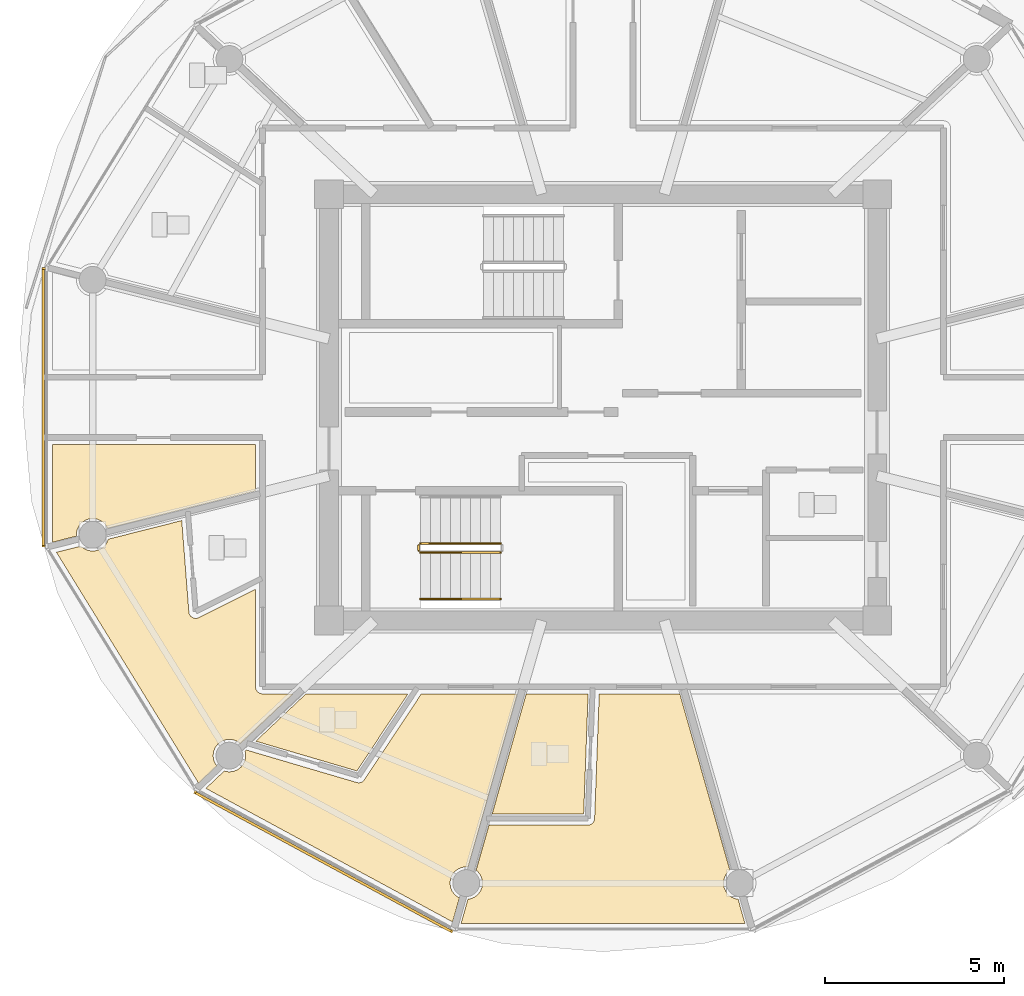
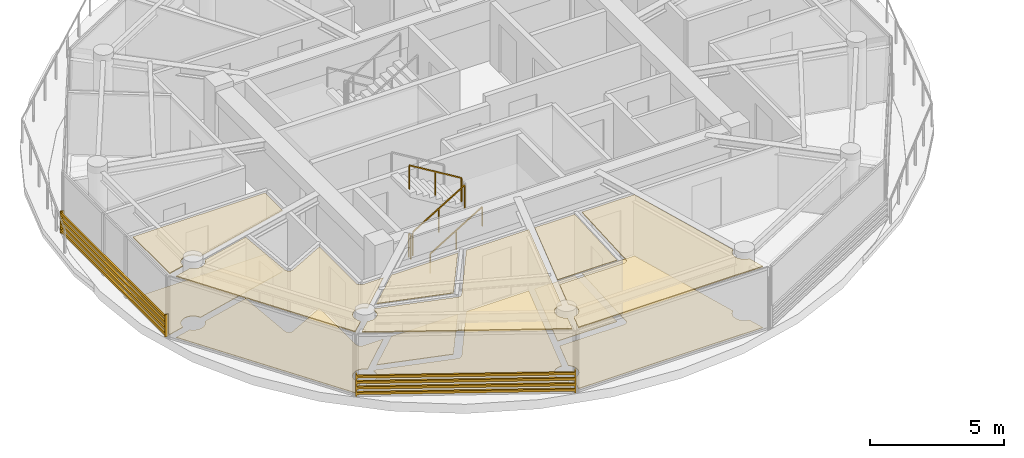
# One storey, part 17 of 28: 12 coverings, 4 railings, 2 shading devices.
"""IFC4 building model written with IfcOpenShell, lengths in metres."""

from ifc_helpers import new_model, si_unit, direction, frame, origin, origin_2d, place, context, subcontext, project, spatial, polyline, rectangle, outline, extrude, source, transform, mapped, material, layer, layer_set, type_object, type_shapes, element, save


model = new_model("IFC4")

# Units and contexts
model_context = context("Model", 3, precision=1e-05, world=origin(), true_north=direction((0.0, 1.0)))
body_context = subcontext(model_context, "Body", "Model", "MODEL_VIEW")
ifc_project = project(units=[si_unit("LENGTHUNIT", "METRE"), si_unit("AREAUNIT", "SQUARE_METRE"), si_unit("VOLUMEUNIT", "CUBIC_METRE"), si_unit("PLANEANGLEUNIT", "RADIAN"), si_unit("MASSUNIT", "GRAM", prefix="KILO")], contexts=[model_context])

# Site, building, storey
site_placement = place(None, origin())
site = spatial("IfcSite", under=ifc_project, at=site_placement, CompositionType="ELEMENT")
building_placement = place(site_placement, origin())
building = spatial("IfcBuilding", under=site, at=building_placement, Name="Norrkilde Senior Care Towers", CompositionType="ELEMENT")
storey_placement = place(building_placement, frame((0.0, 0.0, 190.64990234375)))
storey = spatial("IfcBuildingStorey", under=building, at=storey_placement, Name="L59", CompositionType="ELEMENT", Elevation=190.64990234375)

# Coverings
ifc_material_1 = material(Name="Nordic Ash Timber", Category="wood")
ifc_layer_1 = layer(ifc_material_1, 0.044921875)
ifc_layer_set_1 = layer_set([ifc_layer_1], Name="Nordic Ash Timber")
covering_type_1 = type_object("IfcCoveringType", Name="Acoustic Ash Timber Slatted Ceiling 45", PredefinedType="CEILING", material=ifc_layer_set_1)
covering_1_placement = place(storey_placement, frame((0.0, 0.0, 2.76513671875)))
element("IfcCovering", 1, at=covering_1_placement, inside=storey, type_object=covering_type_1, Name="L59 Suspended Ceiling 0335", PredefinedType="CEILING", context=body_context, shape_type="SweptSolid", body=[
    extrude(outline(polyline([(-37.699951171875, -1.0400390625), (-37.699951171875, -2.331298828125), (-41.834228515625, -3.377685546875), (-41.853271484375, -3.331298828125), (-41.92578125, -3.237060546875), (-42.02001953125, -3.164794921875), (-42.129638671875, -3.119384765625), (-42.247314453125, -3.103759765625), (-42.365234375, -3.119384765625), (-42.474853515625, -3.164794921875), (-42.569091796875, -3.237060546875), (-42.641357421875, -3.331298828125), (-42.68701171875, -3.44091796875), (-42.702392578125, -3.558837890625), (-42.697509765625, -3.59619140625), (-43.37353515625, -3.76708984375), (-43.37353515625, -1.0400390625), (-37.699951171875, -1.0400390625)])), origin(), (0.0, 0.0, 1.0), 0.044921875),
])
covering_2_placement = place(storey_placement, frame((0.0, 0.0, 2.76513671875)))
element("IfcCovering", 2, at=covering_2_placement, inside=storey, type_object=covering_type_1, Name="L59 Suspended Ceiling 0347", PredefinedType="CEILING", context=body_context, shape_type="SweptSolid", body=[
    extrude(outline(polyline([(-39.5556640625, -5.7470703125), (-39.552490234375, -5.758544921875), (-39.55029296875, -5.764892578125), (-39.546142578125, -5.77587890625), (-39.543212890625, -5.7822265625), (-39.5380859375, -5.792724609375), (-39.53466796875, -5.798583984375), (-39.5283203125, -5.80859375), (-39.5244140625, -5.814208984375), (-39.51708984375, -5.8232421875), (-39.5126953125, -5.82861328125), (-39.50439453125, -5.8369140625), (-39.49951171875, -5.841796875), (-39.49072265625, -5.849365234375), (-39.485107421875, -5.853515625), (-39.4755859375, -5.8603515625), (-39.4697265625, -5.864013671875), (-39.45947265625, -5.86962890625), (-39.453369140625, -5.872802734375), (-39.442626953125, -5.87744140625), (-39.436279296875, -5.880126953125), (-39.425048828125, -5.8837890625), (-39.41845703125, -5.885498046875), (-39.4072265625, -5.88818359375), (-39.400390625, -5.88916015625), (-39.388671875, -5.890625), (-39.3818359375, -5.89111328125), (-39.3701171875, -5.891357421875), (-39.36328125, -5.891357421875), (-39.3515625, -5.890380859375), (-39.3447265625, -5.8896484375), (-39.333251953125, -5.8876953125), (-39.326416015625, -5.88623046875), (-39.315185546875, -5.883056640625), (-39.30859375, -5.880859375), (-39.2978515625, -5.876708984375), (-39.29150390625, -5.873779296875), (-39.2861328125, -5.871337890625), (-37.699951171875, -5.076171875), (-37.699951171875, -7.800048828125), (-37.699951171875, -7.805908203125), (-37.699462890625, -7.813720703125), (-37.6982421875, -7.825439453125), (-37.697265625, -7.833251953125), (-37.69482421875, -7.8447265625), (-37.69287109375, -7.852294921875), (-37.689453125, -7.86376953125), (-37.68701171875, -7.87109375), (-37.682373046875, -7.8818359375), (-37.678955078125, -7.888916015625), (-37.673583984375, -7.8994140625), (-37.66943359375, -7.90625), (-37.662841796875, -7.916015625), (-37.658203125, -7.92236328125), (-37.65087890625, -7.931396484375), (-37.6455078125, -7.937255859375), (-37.63720703125, -7.945556640625), (-37.63134765625, -7.95068359375), (-37.622314453125, -7.958251953125), (-37.615966796875, -7.962890625), (-37.606201171875, -7.969482421875), (-37.599365234375, -7.973388671875), (-37.589111328125, -7.97900390625), (-37.58203125, -7.982421875), (-37.571044921875, -7.98681640625), (-37.563720703125, -7.989501953125), (-37.552490234375, -7.992919921875), (-37.544677734375, -7.994873046875), (-37.533203125, -7.9970703125), (-37.525390625, -7.998291015625), (-37.513671875, -7.99951171875), (-37.505859375, -7.999755859375), (-37.5, -8.0), (-36.644287109375, -8.0), (-38.11865234375, -9.392822265625), (-38.202392578125, -9.32861328125), (-38.31201171875, -9.283203125), (-38.429931640625, -9.267822265625), (-38.547607421875, -9.283203125), (-38.6572265625, -9.32861328125), (-38.75146484375, -9.40087890625), (-38.823974609375, -9.4951171875), (-38.869384765625, -9.60498046875), (-38.884765625, -9.72265625), (-38.869384765625, -9.840576171875), (-38.823974609375, -9.9501953125), (-38.775634765625, -10.01318359375), (-39.28662109375, -10.495849609375), (-43.25732421875, -4.04736328125), (-42.573974609375, -3.874267578125), (-42.569091796875, -3.880615234375), (-42.474853515625, -3.952880859375), (-42.365234375, -3.998291015625), (-42.247314453125, -4.013671875), (-42.129638671875, -3.998291015625), (-42.02001953125, -3.952880859375), (-41.92578125, -3.880615234375), (-41.853271484375, -3.786376953125), (-41.809814453125, -3.680908203125), (-39.760009765625, -3.162109375), (-39.560791015625, -5.71630859375), (-39.56005859375, -5.72216796875), (-39.559326171875, -5.72900390625), (-39.55712890625, -5.740478515625), (-39.5556640625, -5.7470703125)])), origin(), (0.0, 0.0, 1.0), 0.044921875),
])
covering_3_placement = place(storey_placement, frame((0.0, 0.0, 2.76513671875)))
element("IfcCovering", 3, at=covering_3_placement, inside=storey, type_object=covering_type_1, Name="L59 Suspended Ceiling 0348", PredefinedType="CEILING", context=body_context, shape_type="SweptSolid", body=[
    extrude(outline(polyline([(-34.823974609375, -10.481201171875), (-34.812255859375, -10.48095703125), (-34.805419921875, -10.480712890625), (-34.793701171875, -10.4794921875), (-34.786865234375, -10.478515625), (-34.775390625, -10.47607421875), (-34.768798828125, -10.474365234375), (-34.757568359375, -10.470947265625), (-34.751220703125, -10.468505859375), (-34.740478515625, -10.4638671875), (-34.734130859375, -10.4609375), (-34.723876953125, -10.455322265625), (-34.718017578125, -10.451904296875), (-34.708251953125, -10.4453125), (-34.702880859375, -10.441162109375), (-34.69384765625, -10.43359375), (-34.688720703125, -10.42919921875), (-34.680419921875, -10.420654296875), (-34.676025390625, -10.41552734375), (-34.66845703125, -10.406494140625), (-34.66455078125, -10.401123046875), (-34.6611328125, -10.396240234375), (-33.0732421875, -8.0), (-30.39404296875, -8.0), (-31.76513671875, -12.833251953125), (-31.817626953125, -12.826416015625), (-31.935302734375, -12.842041015625), (-32.045166015625, -12.887451171875), (-32.139404296875, -12.959716796875), (-32.211669921875, -13.053955078125), (-32.257080078125, -13.163818359375), (-32.2724609375, -13.281494140625), (-32.257080078125, -13.399169921875), (-32.211669921875, -13.509033203125), (-32.139404296875, -13.603271484375), (-32.045166015625, -13.675537109375), (-32.008544921875, -13.690673828125), (-32.19970703125, -14.364990234375), (-39.08642578125, -10.636962890625), (-38.57275390625, -10.15185546875), (-38.547607421875, -10.162109375), (-38.429931640625, -10.177734375), (-38.31201171875, -10.162109375), (-38.202392578125, -10.11669921875), (-38.108154296875, -10.04443359375), (-38.035888671875, -9.9501953125), (-37.990234375, -9.840576171875), (-37.974853515625, -9.72265625), (-37.990234375, -9.60498046875), (-37.9912109375, -9.6025390625), (-37.953369140625, -9.56689453125), (-34.873046875, -10.4736328125), (-34.867431640625, -10.47509765625), (-34.86083984375, -10.4765625), (-34.849365234375, -10.478759765625), (-34.842529296875, -10.479736328125), (-34.830810546875, -10.48095703125), (-34.823974609375, -10.481201171875)])), origin(), (0.0, 0.0, 1.0), 0.044921875),
])
covering_4_placement = place(storey_placement, frame((0.0, 0.0, 2.76513671875)))
element("IfcCovering", 4, at=covering_4_placement, inside=storey, type_object=covering_type_1, Name="L59 Suspended Ceiling 0350", PredefinedType="CEILING", context=body_context, shape_type="SweptSolid", body=[
    extrude(outline(polyline([(-28.376708984375, -11.657470703125), (-28.36572265625, -11.654052734375), (-28.359375, -11.65185546875), (-28.3486328125, -11.647705078125), (-28.342529296875, -11.644775390625), (-28.332275390625, -11.6396484375), (-28.326416015625, -11.63623046875), (-28.31689453125, -11.6298828125), (-28.3115234375, -11.6259765625), (-28.302490234375, -11.618896484375), (-28.29736328125, -11.614501953125), (-28.2890625, -11.6064453125), (-28.284423828125, -11.6015625), (-28.27685546875, -11.5927734375), (-28.27294921875, -11.58740234375), (-28.26611328125, -11.578125), (-28.2626953125, -11.572509765625), (-28.257080078125, -11.5625), (-28.25390625, -11.556396484375), (-28.249267578125, -11.5458984375), (-28.246826171875, -11.539794921875), (-28.2431640625, -11.52880859375), (-28.2412109375, -11.522216796875), (-28.23876953125, -11.51123046875), (-28.237548828125, -11.504638671875), (-28.23583984375, -11.4931640625), (-28.2353515625, -11.486328125), (-28.235107421875, -11.480712890625), (-28.106201171875, -8.0), (-25.855224609375, -8.0), (-24.458251953125, -12.924560546875), (-24.504150390625, -12.959716796875), (-24.576416015625, -13.053955078125), (-24.621826171875, -13.163818359375), (-24.637451171875, -13.281494140625), (-24.621826171875, -13.399169921875), (-24.576416015625, -13.509033203125), (-24.504150390625, -13.603271484375), (-24.409912109375, -13.675537109375), (-24.30029296875, -13.720947265625), (-24.229736328125, -13.730224609375), (-24.03759765625, -14.407470703125), (-31.96240234375, -14.407470703125), (-31.770263671875, -13.730224609375), (-31.69970703125, -13.720947265625), (-31.590087890625, -13.675537109375), (-31.495849609375, -13.603271484375), (-31.423583984375, -13.509033203125), (-31.378173828125, -13.399169921875), (-31.362548828125, -13.281494140625), (-31.378173828125, -13.163818359375), (-31.423583984375, -13.053955078125), (-31.495849609375, -12.959716796875), (-31.541748046875, -12.924560546875), (-31.183349609375, -11.661376953125), (-28.425048828125, -11.66357421875), (-28.419189453125, -11.66357421875), (-28.41259765625, -11.663330078125), (-28.401123046875, -11.662109375), (-28.39453125, -11.6611328125), (-28.38330078125, -11.658935546875), (-28.376708984375, -11.657470703125)])), origin(), (0.0, 0.0, 1.0), 0.044921875),
])
ifc_material_2 = material(Name="Gypsum Acoustic Board")
ifc_layer_2 = layer(ifc_material_2, 0.030029296875)
ifc_layer_set_2 = layer_set([ifc_layer_2], Name="Gypsum Acoustic Board")
covering_type_2 = type_object("IfcCoveringType", Name="Medical Cleanable Gypsum Ceiling 30", PredefinedType="CEILING", material=ifc_layer_set_2)
covering_5_placement = place(storey_placement, frame((0.0, 0.0, 2.780029296875)))
element("IfcCovering", 5, at=covering_5_placement, inside=storey, type_object=covering_type_2, Name="L59 Suspended Ceiling 0349", PredefinedType="CEILING", context=body_context, shape_type="SweptSolid", body=[
    extrude(outline(polyline([(-37.692626953125, -9.3203125), (-36.294677734375, -8.0), (-33.445068359375, -8.0), (-34.87060546875, -10.151123046875), (-37.692626953125, -9.3203125)])), origin(), (0.0, 0.0, 1.0), 0.030029296875),
])
covering_6_placement = place(storey_placement, frame((0.0, 0.0, 2.780029296875)))
element("IfcCovering", 6, at=covering_6_placement, inside=storey, type_object=covering_type_2, Name="L59 Suspended Ceiling 0351", PredefinedType="CEILING", context=body_context, shape_type="SweptSolid", body=[
    extrude(outline(polyline([(-31.095458984375, -11.3515625), (-30.144775390625, -8.0), (-28.416259765625, -8.0), (-28.54052734375, -11.353515625), (-31.095458984375, -11.3515625)])), origin(), (0.0, 0.0, 1.0), 0.030029296875),
])
ifc_material_3 = material(Name="Slip-Resistant Porcelain Stone", Category="masonry")
ifc_layer_3 = layer(ifc_material_3, 0.02490234375)
ifc_layer_set_3 = layer_set([ifc_layer_3], Name="Slip-Resistant Porcelain Stone")
covering_type_3 = type_object("IfcCoveringType", Name="Slip-Resistant Porcelain Flooring 25", PredefinedType="FLOORING", material=ifc_layer_set_3)
covering_7_placement = place(storey_placement, origin())
element("IfcCovering", 7, at=covering_7_placement, inside=storey, type_object=covering_type_3, Name="L59 Floor Finish 0335", PredefinedType="FLOORING", context=body_context, shape_type="SweptSolid", body=[
    extrude(outline(polyline([(-37.699951171875, -1.0400390625), (-37.699951171875, -2.331298828125), (-41.834228515625, -3.377685546875), (-41.853271484375, -3.331298828125), (-41.92578125, -3.237060546875), (-42.02001953125, -3.164794921875), (-42.129638671875, -3.119384765625), (-42.247314453125, -3.103759765625), (-42.365234375, -3.119384765625), (-42.474853515625, -3.164794921875), (-42.569091796875, -3.237060546875), (-42.641357421875, -3.331298828125), (-42.68701171875, -3.44091796875), (-42.702392578125, -3.558837890625), (-42.697509765625, -3.59619140625), (-43.37353515625, -3.76708984375), (-43.37353515625, -1.0400390625), (-37.699951171875, -1.0400390625)])), origin(), (0.0, 0.0, 1.0), 0.025146484375),
])
covering_8_placement = place(storey_placement, origin())
element("IfcCovering", 8, at=covering_8_placement, inside=storey, type_object=covering_type_3, Name="L59 Floor Finish 0347", PredefinedType="FLOORING", context=body_context, shape_type="SweptSolid", body=[
    extrude(outline(polyline([(-39.5556640625, -5.7470703125), (-39.552490234375, -5.758544921875), (-39.55029296875, -5.764892578125), (-39.546142578125, -5.77587890625), (-39.543212890625, -5.7822265625), (-39.5380859375, -5.792724609375), (-39.53466796875, -5.798583984375), (-39.5283203125, -5.80859375), (-39.5244140625, -5.814208984375), (-39.51708984375, -5.8232421875), (-39.5126953125, -5.82861328125), (-39.50439453125, -5.8369140625), (-39.49951171875, -5.841796875), (-39.49072265625, -5.849365234375), (-39.485107421875, -5.853515625), (-39.4755859375, -5.8603515625), (-39.4697265625, -5.864013671875), (-39.45947265625, -5.86962890625), (-39.453369140625, -5.872802734375), (-39.442626953125, -5.87744140625), (-39.436279296875, -5.880126953125), (-39.425048828125, -5.8837890625), (-39.41845703125, -5.885498046875), (-39.4072265625, -5.88818359375), (-39.400390625, -5.88916015625), (-39.388671875, -5.890625), (-39.3818359375, -5.89111328125), (-39.3701171875, -5.891357421875), (-39.36328125, -5.891357421875), (-39.3515625, -5.890380859375), (-39.3447265625, -5.8896484375), (-39.333251953125, -5.8876953125), (-39.326416015625, -5.88623046875), (-39.315185546875, -5.883056640625), (-39.30859375, -5.880859375), (-39.2978515625, -5.876708984375), (-39.29150390625, -5.873779296875), (-39.2861328125, -5.871337890625), (-37.699951171875, -5.076171875), (-37.699951171875, -7.800048828125), (-37.699951171875, -7.805908203125), (-37.699462890625, -7.813720703125), (-37.6982421875, -7.825439453125), (-37.697265625, -7.833251953125), (-37.69482421875, -7.8447265625), (-37.69287109375, -7.852294921875), (-37.689453125, -7.86376953125), (-37.68701171875, -7.87109375), (-37.682373046875, -7.8818359375), (-37.678955078125, -7.888916015625), (-37.673583984375, -7.8994140625), (-37.66943359375, -7.90625), (-37.662841796875, -7.916015625), (-37.658203125, -7.92236328125), (-37.65087890625, -7.931396484375), (-37.6455078125, -7.937255859375), (-37.63720703125, -7.945556640625), (-37.63134765625, -7.95068359375), (-37.622314453125, -7.958251953125), (-37.615966796875, -7.962890625), (-37.606201171875, -7.969482421875), (-37.599365234375, -7.973388671875), (-37.589111328125, -7.97900390625), (-37.58203125, -7.982421875), (-37.571044921875, -7.98681640625), (-37.563720703125, -7.989501953125), (-37.552490234375, -7.992919921875), (-37.544677734375, -7.994873046875), (-37.533203125, -7.9970703125), (-37.525390625, -7.998291015625), (-37.513671875, -7.99951171875), (-37.505859375, -7.999755859375), (-37.5, -8.0), (-36.644287109375, -8.0), (-38.11865234375, -9.392822265625), (-38.202392578125, -9.32861328125), (-38.31201171875, -9.283203125), (-38.429931640625, -9.267822265625), (-38.547607421875, -9.283203125), (-38.6572265625, -9.32861328125), (-38.75146484375, -9.40087890625), (-38.823974609375, -9.4951171875), (-38.869384765625, -9.60498046875), (-38.884765625, -9.72265625), (-38.869384765625, -9.840576171875), (-38.823974609375, -9.9501953125), (-38.775634765625, -10.01318359375), (-39.28662109375, -10.495849609375), (-43.25732421875, -4.04736328125), (-42.573974609375, -3.874267578125), (-42.569091796875, -3.880615234375), (-42.474853515625, -3.952880859375), (-42.365234375, -3.998291015625), (-42.247314453125, -4.013671875), (-42.129638671875, -3.998291015625), (-42.02001953125, -3.952880859375), (-41.92578125, -3.880615234375), (-41.853271484375, -3.786376953125), (-41.809814453125, -3.680908203125), (-39.760009765625, -3.162109375), (-39.560791015625, -5.71630859375), (-39.56005859375, -5.72216796875), (-39.559326171875, -5.72900390625), (-39.55712890625, -5.740478515625), (-39.5556640625, -5.7470703125)])), origin(), (0.0, 0.0, 1.0), 0.025146484375),
])
covering_9_placement = place(storey_placement, origin())
element("IfcCovering", 9, at=covering_9_placement, inside=storey, type_object=covering_type_3, Name="L59 Floor Finish 0348", PredefinedType="FLOORING", context=body_context, shape_type="SweptSolid", body=[
    extrude(outline(polyline([(-34.823974609375, -10.481201171875), (-34.812255859375, -10.48095703125), (-34.805419921875, -10.480712890625), (-34.793701171875, -10.4794921875), (-34.786865234375, -10.478515625), (-34.775390625, -10.47607421875), (-34.768798828125, -10.474365234375), (-34.757568359375, -10.470947265625), (-34.751220703125, -10.468505859375), (-34.740478515625, -10.4638671875), (-34.734130859375, -10.4609375), (-34.723876953125, -10.455322265625), (-34.718017578125, -10.451904296875), (-34.708251953125, -10.4453125), (-34.702880859375, -10.441162109375), (-34.69384765625, -10.43359375), (-34.688720703125, -10.42919921875), (-34.680419921875, -10.420654296875), (-34.676025390625, -10.41552734375), (-34.66845703125, -10.406494140625), (-34.66455078125, -10.401123046875), (-34.6611328125, -10.396240234375), (-33.0732421875, -8.0), (-30.39404296875, -8.0), (-31.76513671875, -12.833251953125), (-31.817626953125, -12.826416015625), (-31.935302734375, -12.842041015625), (-32.045166015625, -12.887451171875), (-32.139404296875, -12.959716796875), (-32.211669921875, -13.053955078125), (-32.257080078125, -13.163818359375), (-32.2724609375, -13.281494140625), (-32.257080078125, -13.399169921875), (-32.211669921875, -13.509033203125), (-32.139404296875, -13.603271484375), (-32.045166015625, -13.675537109375), (-32.008544921875, -13.690673828125), (-32.19970703125, -14.364990234375), (-39.08642578125, -10.636962890625), (-38.57275390625, -10.15185546875), (-38.547607421875, -10.162109375), (-38.429931640625, -10.177734375), (-38.31201171875, -10.162109375), (-38.202392578125, -10.11669921875), (-38.108154296875, -10.04443359375), (-38.035888671875, -9.9501953125), (-37.990234375, -9.840576171875), (-37.974853515625, -9.72265625), (-37.990234375, -9.60498046875), (-37.9912109375, -9.6025390625), (-37.953369140625, -9.56689453125), (-34.873046875, -10.4736328125), (-34.867431640625, -10.47509765625), (-34.86083984375, -10.4765625), (-34.849365234375, -10.478759765625), (-34.842529296875, -10.479736328125), (-34.830810546875, -10.48095703125), (-34.823974609375, -10.481201171875)])), origin(), (0.0, 0.0, 1.0), 0.025146484375),
])
covering_10_placement = place(storey_placement, origin())
element("IfcCovering", 10, at=covering_10_placement, inside=storey, type_object=covering_type_3, Name="L59 Floor Finish 0349", PredefinedType="FLOORING", context=body_context, shape_type="SweptSolid", body=[
    extrude(outline(polyline([(-37.692626953125, -9.3203125), (-36.294677734375, -8.0), (-33.445068359375, -8.0), (-34.87060546875, -10.151123046875), (-37.692626953125, -9.3203125)])), origin(), (0.0, 0.0, 1.0), 0.025146484375),
])
covering_11_placement = place(storey_placement, origin())
element("IfcCovering", 11, at=covering_11_placement, inside=storey, type_object=covering_type_3, Name="L59 Floor Finish 0350", PredefinedType="FLOORING", context=body_context, shape_type="SweptSolid", body=[
    extrude(outline(polyline([(-28.376708984375, -11.657470703125), (-28.36572265625, -11.654052734375), (-28.359375, -11.65185546875), (-28.3486328125, -11.647705078125), (-28.342529296875, -11.644775390625), (-28.332275390625, -11.6396484375), (-28.326416015625, -11.63623046875), (-28.31689453125, -11.6298828125), (-28.3115234375, -11.6259765625), (-28.302490234375, -11.618896484375), (-28.29736328125, -11.614501953125), (-28.2890625, -11.6064453125), (-28.284423828125, -11.6015625), (-28.27685546875, -11.5927734375), (-28.27294921875, -11.58740234375), (-28.26611328125, -11.578125), (-28.2626953125, -11.572509765625), (-28.257080078125, -11.5625), (-28.25390625, -11.556396484375), (-28.249267578125, -11.5458984375), (-28.246826171875, -11.539794921875), (-28.2431640625, -11.52880859375), (-28.2412109375, -11.522216796875), (-28.23876953125, -11.51123046875), (-28.237548828125, -11.504638671875), (-28.23583984375, -11.4931640625), (-28.2353515625, -11.486328125), (-28.235107421875, -11.480712890625), (-28.106201171875, -8.0), (-25.855224609375, -8.0), (-24.458251953125, -12.924560546875), (-24.504150390625, -12.959716796875), (-24.576416015625, -13.053955078125), (-24.621826171875, -13.163818359375), (-24.637451171875, -13.281494140625), (-24.621826171875, -13.399169921875), (-24.576416015625, -13.509033203125), (-24.504150390625, -13.603271484375), (-24.409912109375, -13.675537109375), (-24.30029296875, -13.720947265625), (-24.229736328125, -13.730224609375), (-24.03759765625, -14.407470703125), (-31.96240234375, -14.407470703125), (-31.770263671875, -13.730224609375), (-31.69970703125, -13.720947265625), (-31.590087890625, -13.675537109375), (-31.495849609375, -13.603271484375), (-31.423583984375, -13.509033203125), (-31.378173828125, -13.399169921875), (-31.362548828125, -13.281494140625), (-31.378173828125, -13.163818359375), (-31.423583984375, -13.053955078125), (-31.495849609375, -12.959716796875), (-31.541748046875, -12.924560546875), (-31.183349609375, -11.661376953125), (-28.425048828125, -11.66357421875), (-28.419189453125, -11.66357421875), (-28.41259765625, -11.663330078125), (-28.401123046875, -11.662109375), (-28.39453125, -11.6611328125), (-28.38330078125, -11.658935546875), (-28.376708984375, -11.657470703125)])), origin(), (0.0, 0.0, 1.0), 0.025146484375),
])
covering_12_placement = place(storey_placement, origin())
element("IfcCovering", 12, at=covering_12_placement, inside=storey, type_object=covering_type_3, Name="L59 Floor Finish 0351", PredefinedType="FLOORING", context=body_context, shape_type="SweptSolid", body=[
    extrude(outline(polyline([(-31.095458984375, -11.3515625), (-30.144775390625, -8.0), (-28.416259765625, -8.0), (-28.54052734375, -11.353515625), (-31.095458984375, -11.3515625)])), origin(), (0.0, 0.0, 1.0), 0.025146484375),
])

# Railings
ifc_material_4 = material(Name="Stainless Steel", Category="steel")
railing_type_1 = type_object("IfcRailingType", Name="Stair and Terrace Guardrail 1100", PredefinedType="GUARDRAIL", material=ifc_material_4)
railing_1_placement = place(storey_placement, frame((-33.10009765625, -4.050048828125, 0.16943359375)))
element("IfcRailing", 13, at=railing_1_placement, inside=storey, type_object=railing_type_1, Name="L59 ST-W2 stair guard 1", PredefinedType="GUARDRAIL", context=body_context, shape_type="SweptSolid", body=[
    extrude(rectangle(XDim=0.048095703125, YDim=0.048095703125, at=origin_2d()), frame((0.0, 0.0, 1.076171875), z_axis=(0.855512035549, 0.0, 0.517782924622), x_axis=(0.0, 1.0, 0.0)), (0.0, 0.0, 1.0), 2.618408203125),
    extrude(rectangle(XDim=0.0419921875, YDim=0.0419921875, at=origin_2d()), origin(), (0.0, 0.0, 1.0), 1.050048828125),
    extrude(rectangle(XDim=0.0419921875, YDim=0.0419921875, at=origin_2d()), frame((1.1201171875, 0.0, 0.677734375)), (0.0, 0.0, 1.0), 1.050048828125),
    extrude(rectangle(XDim=0.0419921875, YDim=0.0419921875, at=origin_2d()), frame((2.239990234375, 0.0, 1.355712890625)), (0.0, 0.0, 1.0), 1.050048828125),
])
railing_2_placement = place(storey_placement, frame((-30.860107421875, -3.800048828125, 1.694580078125)))
element("IfcRailing", 14, at=railing_2_placement, inside=storey, type_object=railing_type_1, Name="L59 ST-W2 stair guard 3", PredefinedType="GUARDRAIL", context=body_context, shape_type="SweptSolid", body=[
    extrude(rectangle(XDim=0.048095703125, YDim=0.048095703125, at=origin_2d()), frame((0.0, 0.0, 1.076171875), z_axis=(-0.855553338991, 0.0, 0.51771467445), x_axis=(0.0, -1.0, 0.0)), (0.0, 0.0, 1.0), 2.6181640625),
    extrude(rectangle(XDim=0.0419921875, YDim=0.0419921875, at=origin_2d()), origin(), (0.0, 0.0, 1.0), 1.050048828125),
    extrude(rectangle(XDim=0.0419921875, YDim=0.0419921875, at=origin_2d()), frame((-1.1201171875, 0.0, 0.677734375)), (0.0, 0.0, 1.0), 1.050048828125),
    extrude(rectangle(XDim=0.0419921875, YDim=0.0419921875, at=origin_2d()), frame((-2.239990234375, 0.0, 1.35546875)), (0.0, 0.0, 1.0), 1.050048828125),
])
railing_3_placement = place(storey_placement, frame((-33.14990234375, -4.0, 0.0)))
element("IfcRailing", 15, at=railing_3_placement, inside=storey, type_object=railing_type_1, Name="L59 ST-W2 stair guard 4", PredefinedType="GUARDRAIL", context=body_context, shape_type="SweptSolid", body=[
    extrude(rectangle(XDim=0.048095703125, YDim=0.048095703125, at=origin_2d()), frame((0.0, 0.0, 1.076171875), z_axis=(0.0, 1.0, 0.0), x_axis=(-1.0, 0.0, 0.0)), (0.0, 0.0, 1.0), 0.14990234375),
    extrude(rectangle(XDim=0.0419921875, YDim=0.0419921875, at=origin_2d()), origin(), (0.0, 0.0, 1.0), 1.050048828125),
    extrude(rectangle(XDim=0.0419921875, YDim=0.0419921875, at=origin_2d()), frame((0.0, 0.14990234375, 0.0)), (0.0, 0.0, 1.0), 1.050048828125),
])
railing_type_2 = type_object("IfcRailingType", Name="Wall and Stair Handrail 900", PredefinedType="HANDRAIL", material=ifc_material_1)
railing_4_placement = place(storey_placement, frame((-33.10009765625, -5.35009765625, 0.16943359375)))
element("IfcRailing", 16, at=railing_4_placement, inside=storey, type_object=railing_type_2, Name="L59 ST-W2 stair handrail 1", PredefinedType="HANDRAIL", context=body_context, shape_type="SweptSolid", body=[
    extrude(rectangle(XDim=0.048095703125, YDim=0.048095703125, at=origin_2d()), frame((0.0, 0.0, 0.8759765625), z_axis=(0.855512035549, 0.0, 0.517782924622), x_axis=(0.0, 1.0, 0.0)), (0.0, 0.0, 1.0), 2.618408203125),
    extrude(rectangle(XDim=0.0419921875, YDim=0.0419921875, at=origin_2d()), origin(), (0.0, 0.0, 1.0), 0.849853515625),
    extrude(rectangle(XDim=0.0419921875, YDim=0.0419921875, at=origin_2d()), frame((1.1201171875, 0.0, 0.677734375)), (0.0, 0.0, 1.0), 0.849853515625),
    extrude(rectangle(XDim=0.0419921875, YDim=0.0419921875, at=origin_2d()), frame((2.239990234375, 0.0, 1.355712890625)), (0.0, 0.0, 1.0), 0.849853515625),
])

# Shading devices
ifc_material_5 = material(Name="Architectural Terracotta", Category="masonry")
shading_device_type = type_object("IfcShadingDeviceType", Name="Horizontal Terracotta Baguette Rack", PredefinedType="USERDEFINED", material=ifc_material_5)
shared_shape_1 = source(origin(), body_context, "Body", "SweptSolid", [
    extrude(rectangle(XDim=0.070068359375, YDim=0.110107421875, at=origin_2d()), frame((0.0, 0.090087890625, 0.125), z_axis=(1.0, 0.0, 0.0), x_axis=(0.0, 1.0, 0.0)), (0.0, 0.0, 1.0), 8.197265625),
    extrude(rectangle(XDim=0.070068359375, YDim=0.110107421875, at=origin_2d()), frame((0.0, 0.090087890625, 0.375), z_axis=(1.0, 0.0, 0.0), x_axis=(0.0, 1.0, 0.0)), (0.0, 0.0, 1.0), 8.197265625),
    extrude(rectangle(XDim=0.070068359375, YDim=0.110107421875, at=origin_2d()), frame((0.0, 0.090087890625, 0.625), z_axis=(1.0, 0.0, 0.0), x_axis=(0.0, 1.0, 0.0)), (0.0, 0.0, 1.0), 8.197265625),
    extrude(rectangle(XDim=0.070068359375, YDim=0.110107421875, at=origin_2d()), frame((0.0, 0.090087890625, 0.875), z_axis=(1.0, 0.0, 0.0), x_axis=(0.0, 1.0, 0.0)), (0.0, 0.0, 1.0), 8.197265625),
    extrude(rectangle(XDim=0.050048828125, YDim=0.1552734375, at=origin_2d()), frame((0.02490234375, 0.047607421875, 0.0)), (0.0, 0.0, 1.0), 1.0),
    extrude(rectangle(XDim=0.050048828125, YDim=0.1552734375, at=origin_2d()), frame((8.17236328125, 0.047607421875, 0.0)), (0.0, 0.0, 1.0), 1.0),
])
shading_device_1_placement = place(storey_placement, frame((-32.161865234375, -14.566162109375, 0.080078125), z_axis=(0.0, 0.0, 1.0), x_axis=(-0.879378127234, 0.476143674053, 0.0)))
element("IfcShadingDevice", 17, at=shading_device_1_placement, inside=storey, type_object=shading_device_type, Name="L59 Drum W Terracotta Baguette Screen 07", ObjectType="BAGUETTE", PredefinedType="USERDEFINED", context=body_context, shape_type="MappedRepresentation", body=[
    mapped(shared_shape_1, transform((0.0, 0.0, 0.0), x_axis=(1.0, 0.0, 0.0), y_axis=(0.0, 1.0, 0.0), z_axis=(0.0, 0.0, 1.0), scale=1.0)),
])
shared_shape_2 = source(origin(), body_context, "Body", "SweptSolid", [
    extrude(rectangle(XDim=0.070068359375, YDim=0.110107421875, at=origin_2d()), frame((0.0, 0.090087890625, 0.125), z_axis=(1.0, 0.0, 0.0), x_axis=(0.0, 1.0, 0.0)), (0.0, 0.0, 1.0), 7.80615234375),
    extrude(rectangle(XDim=0.070068359375, YDim=0.110107421875, at=origin_2d()), frame((0.0, 0.090087890625, 0.375), z_axis=(1.0, 0.0, 0.0), x_axis=(0.0, 1.0, 0.0)), (0.0, 0.0, 1.0), 7.80615234375),
    extrude(rectangle(XDim=0.070068359375, YDim=0.110107421875, at=origin_2d()), frame((0.0, 0.090087890625, 0.625), z_axis=(1.0, 0.0, 0.0), x_axis=(0.0, 1.0, 0.0)), (0.0, 0.0, 1.0), 7.80615234375),
    extrude(rectangle(XDim=0.070068359375, YDim=0.110107421875, at=origin_2d()), frame((0.0, 0.090087890625, 0.875), z_axis=(1.0, 0.0, 0.0), x_axis=(0.0, 1.0, 0.0)), (0.0, 0.0, 1.0), 7.80615234375),
    extrude(rectangle(XDim=0.050048828125, YDim=0.1552734375, at=origin_2d()), frame((0.02490234375, 0.047607421875, 0.0)), (0.0, 0.0, 1.0), 1.0),
    extrude(rectangle(XDim=0.050048828125, YDim=0.1552734375, at=origin_2d()), frame((7.78125, 0.047607421875, 0.0)), (0.0, 0.0, 1.0), 1.0),
])
type_shapes(shading_device_type, [shared_shape_1, shared_shape_2])
shading_device_2_placement = place(storey_placement, frame((-43.531982421875, -3.903076171875, 0.080078125), z_axis=(0.0, 0.0, 1.0), x_axis=(0.0, 1.0, 0.0)))
element("IfcShadingDevice", 18, at=shading_device_2_placement, inside=storey, type_object=shading_device_type, Name="L59 Drum W Terracotta Baguette Screen 05", ObjectType="BAGUETTE", PredefinedType="USERDEFINED", context=body_context, shape_type="MappedRepresentation", body=[
    mapped(shared_shape_2, transform((0.0, 0.0, 0.0), x_axis=(1.0, 0.0, 0.0), y_axis=(0.0, 1.0, 0.0), z_axis=(0.0, 0.0, 1.0), scale=1.0)),
])

save(model, "model.ifc")
